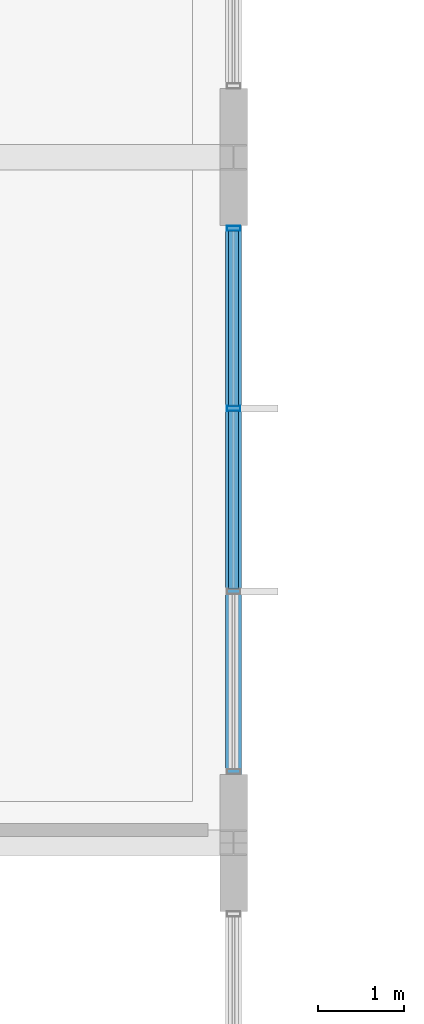
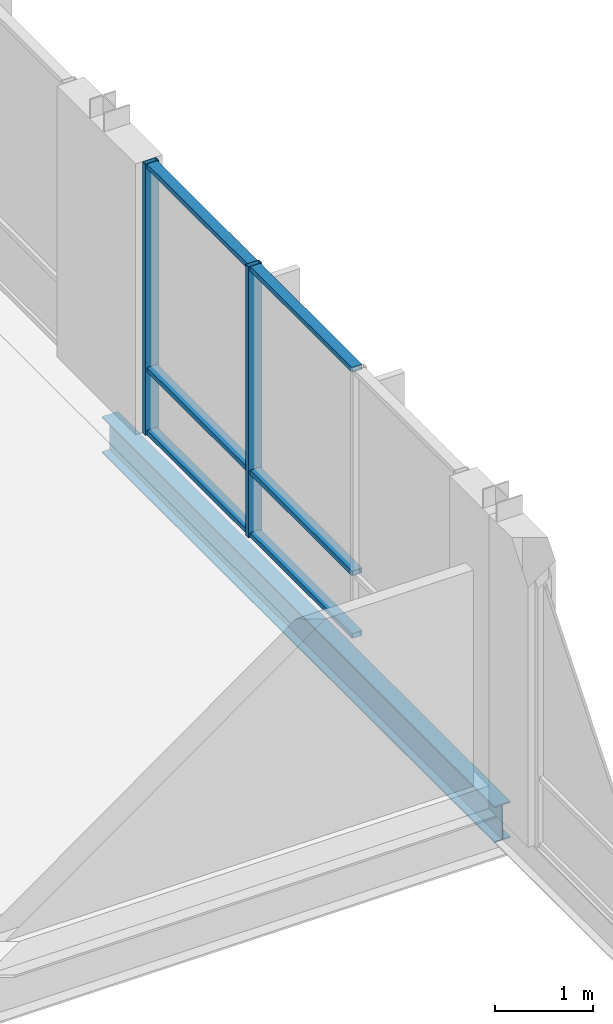
# One storey, part 118 of 189: 8 members, 1 beam, 1 element without a shape of its own.
"""IFC4 building model written with IfcOpenShell, lengths in metres."""

from ifc_helpers import new_model, si_unit, direction, frame, origin, origin_2d, place, context, subcontext, project, spatial, hollow_rectangle, i_section, extrude, material, material_profile, profile_set, type_object, element, aggregate, save


model = new_model("IFC4")

# Units and contexts
model_context = context("Model", 3, precision=1e-05, world=origin(), true_north=direction((0.0, 1.0)))
body_context = subcontext(model_context, "Body", "Model", "MODEL_VIEW")
ifc_project = project(units=[si_unit("LENGTHUNIT", "METRE"), si_unit("AREAUNIT", "SQUARE_METRE"), si_unit("VOLUMEUNIT", "CUBIC_METRE"), si_unit("PLANEANGLEUNIT", "RADIAN"), si_unit("MASSUNIT", "GRAM", prefix="KILO")], contexts=[model_context])

# Site, building, storey
site_placement = place(None, origin())
site = spatial("IfcSite", under=ifc_project, at=site_placement, CompositionType="ELEMENT")
building_placement = place(site_placement, origin())
building = spatial("IfcBuilding", under=site, at=building_placement, Name="Zavelmont Quarter", CompositionType="ELEMENT")
storey_placement = place(building_placement, frame((0.0, 0.0, 4.39990234375)))
storey = spatial("IfcBuildingStorey", under=building, at=storey_placement, Name="L01", CompositionType="ELEMENT", Elevation=4.39990234375)

# Beam
ifc_material_1 = material(Name="Steel S355", Category="steel")
ifc_material_profile_1 = material_profile(ifc_material_1, i_section(OverallWidth=0.18994140625, OverallDepth=0.449951171875, WebThickness=0.009521484375, FlangeThickness=0.0146484375, at=origin_2d()), Name="IPE 450")
ifc_profile_set_1 = profile_set([ifc_material_profile_1], Name="Steel S355")
beam_type = type_object("IfcBeamType", Name="BM12", PredefinedType="BEAM", material=ifc_profile_set_1)
beam_placement = place(storey_placement, frame((168.0, 54.0, -0.5048828125), z_axis=(0.0, 1.0, 0.0), x_axis=(-1.0, 0.0, 0.0)))
element("IfcBeam", 1, at=beam_placement, inside=storey, type_object=beam_type, Name="L01 beam BM12 25/J to 25/K", PredefinedType="BEAM", context=body_context, shape_type="SweptSolid", body=[
    extrude(i_section(OverallWidth=0.18994140625, OverallDepth=0.449951171875, WebThickness=0.009521484375, FlangeThickness=0.0146484375, at=origin_2d()), origin(), (0.0, 0.0, 1.0), 8.0),
])

# Curtain wall, members
ifc_material_2 = material(Name="Thermally broken aluminium and double low-E safety glazing", Category="aluminium")
curtain_wall_type = type_object("IfcCurtainWallType", Name="CW-640X337", PredefinedType="NOTDEFINED", material=ifc_material_2)
curtain_wall_placement = place(storey_placement, origin())
curtain_wall = element("IfcCurtainWall", 2, at=curtain_wall_placement, inside=storey, type_object=curtain_wall_type, Name="L01 unitised curtain wall CW-640X337", PredefinedType="NOTDEFINED")
ifc_material_3 = material(Name="Powder-coated aluminium EN AW-6063-T6", Category="aluminium")
ifc_material_profile_2 = material_profile(ifc_material_3, hollow_rectangle(XDim=0.06005859375, YDim=0.159912109375, WallThickness=0.00390625, at=origin_2d()), Name="CWM60X160")
ifc_profile_set_2 = profile_set([ifc_material_profile_2], Name="Powder-coated aluminium EN AW-6063-T6")
member_type_1 = type_object("IfcMemberType", Name="CWM01", PredefinedType="MULLION", material=ifc_profile_set_2)
member_1_placement = place(storey_placement, frame((168.0, 59.066650390625, 0.0), z_axis=(0.0, 0.0, 1.0), x_axis=(0.0, 1.0, 0.0)))
member_1 = element("IfcMember", 3, at=member_1_placement, type_object=member_type_1, Name="CW-640X337 mullion 3", PredefinedType="MULLION", context=body_context, shape_type="SweptSolid", body=[
    extrude(hollow_rectangle(XDim=0.06005859375, YDim=0.159912109375, WallThickness=0.00390625, at=origin_2d()), origin(), (0.0, 0.0, 1.0), 3.3701171875),
])
member_2_placement = place(storey_placement, frame((168.0, 61.169921875, 0.0), z_axis=(0.0, 0.0, 1.0), x_axis=(0.0, 1.0, 0.0)))
member_2 = element("IfcMember", 4, at=member_2_placement, type_object=member_type_1, Name="CW-640X337 mullion 4", PredefinedType="MULLION", context=body_context, shape_type="SweptSolid", body=[
    extrude(hollow_rectangle(XDim=0.06005859375, YDim=0.159912109375, WallThickness=0.00390625, at=origin_2d()), origin(), (0.0, 0.0, 1.0), 3.3701171875),
])
ifc_material_profile_3 = material_profile(ifc_material_3, hollow_rectangle(XDim=0.1201171875, YDim=0.06005859375, WallThickness=0.00390625, at=origin_2d()), Name="CWT60X120")
ifc_profile_set_3 = profile_set([ifc_material_profile_3], Name="Powder-coated aluminium EN AW-6063-T6")
member_type_2 = type_object("IfcMemberType", Name="CWT01", PredefinedType="NOTDEFINED", material=ifc_profile_set_3)
member_3_placement = place(storey_placement, frame((168.0, 56.96337890625, 0.030029296875), z_axis=(0.0, 1.0, 0.0), x_axis=(-1.0, 0.0, 0.0)))
member_3 = element("IfcMember", 5, at=member_3_placement, type_object=member_type_2, Name="CW-640X337 transom 2.1", ObjectType="TRANSOM", PredefinedType="USERDEFINED", context=body_context, shape_type="SweptSolid", body=[
    extrude(hollow_rectangle(XDim=0.1201171875, YDim=0.06005859375, WallThickness=0.00390625, at=origin_2d()), origin(), (0.0, 0.0, 1.0), 2.0732421875),
])
member_4_placement = place(storey_placement, frame((168.0, 56.96337890625, 0.80908203125), z_axis=(0.0, 1.0, 0.0), x_axis=(-1.0, 0.0, 0.0)))
member_4 = element("IfcMember", 6, at=member_4_placement, type_object=member_type_2, Name="CW-640X337 transom 2.2", ObjectType="TRANSOM", PredefinedType="USERDEFINED", context=body_context, shape_type="SweptSolid", body=[
    extrude(hollow_rectangle(XDim=0.1201171875, YDim=0.06005859375, WallThickness=0.00390625, at=origin_2d()), origin(), (0.0, 0.0, 1.0), 2.0732421875),
])
member_5_placement = place(storey_placement, frame((168.0, 56.96337890625, 3.340087890625), z_axis=(0.0, 1.0, 0.0), x_axis=(-1.0, 0.0, 0.0)))
member_5 = element("IfcMember", 7, at=member_5_placement, type_object=member_type_2, Name="CW-640X337 transom 2.3", ObjectType="TRANSOM", PredefinedType="USERDEFINED", context=body_context, shape_type="SweptSolid", body=[
    extrude(hollow_rectangle(XDim=0.1201171875, YDim=0.06005859375, WallThickness=0.00390625, at=origin_2d()), origin(), (0.0, 0.0, 1.0), 2.0732421875),
])
member_6_placement = place(storey_placement, frame((168.0, 59.0966796875, 0.030029296875), z_axis=(0.0, 1.0, 0.0), x_axis=(-1.0, 0.0, 0.0)))
member_6 = element("IfcMember", 8, at=member_6_placement, type_object=member_type_2, Name="CW-640X337 transom 3.1", ObjectType="TRANSOM", PredefinedType="USERDEFINED", context=body_context, shape_type="SweptSolid", body=[
    extrude(hollow_rectangle(XDim=0.1201171875, YDim=0.06005859375, WallThickness=0.00390625, at=origin_2d()), origin(), (0.0, 0.0, 1.0), 2.043212890625),
])
member_7_placement = place(storey_placement, frame((168.0, 59.0966796875, 0.80908203125), z_axis=(0.0, 1.0, 0.0), x_axis=(-1.0, 0.0, 0.0)))
member_7 = element("IfcMember", 9, at=member_7_placement, type_object=member_type_2, Name="CW-640X337 transom 3.2", ObjectType="TRANSOM", PredefinedType="USERDEFINED", context=body_context, shape_type="SweptSolid", body=[
    extrude(hollow_rectangle(XDim=0.1201171875, YDim=0.06005859375, WallThickness=0.00390625, at=origin_2d()), origin(), (0.0, 0.0, 1.0), 2.043212890625),
])
member_8_placement = place(storey_placement, frame((168.0, 59.0966796875, 3.340087890625), z_axis=(0.0, 1.0, 0.0), x_axis=(-1.0, 0.0, 0.0)))
member_8 = element("IfcMember", 10, at=member_8_placement, type_object=member_type_2, Name="CW-640X337 transom 3.3", ObjectType="TRANSOM", PredefinedType="USERDEFINED", context=body_context, shape_type="SweptSolid", body=[
    extrude(hollow_rectangle(XDim=0.1201171875, YDim=0.06005859375, WallThickness=0.00390625, at=origin_2d()), origin(), (0.0, 0.0, 1.0), 2.043212890625),
])
aggregate(curtain_wall, [member_1, member_2, member_3, member_4, member_5, member_6, member_7, member_8])

save(model, "model.ifc")
